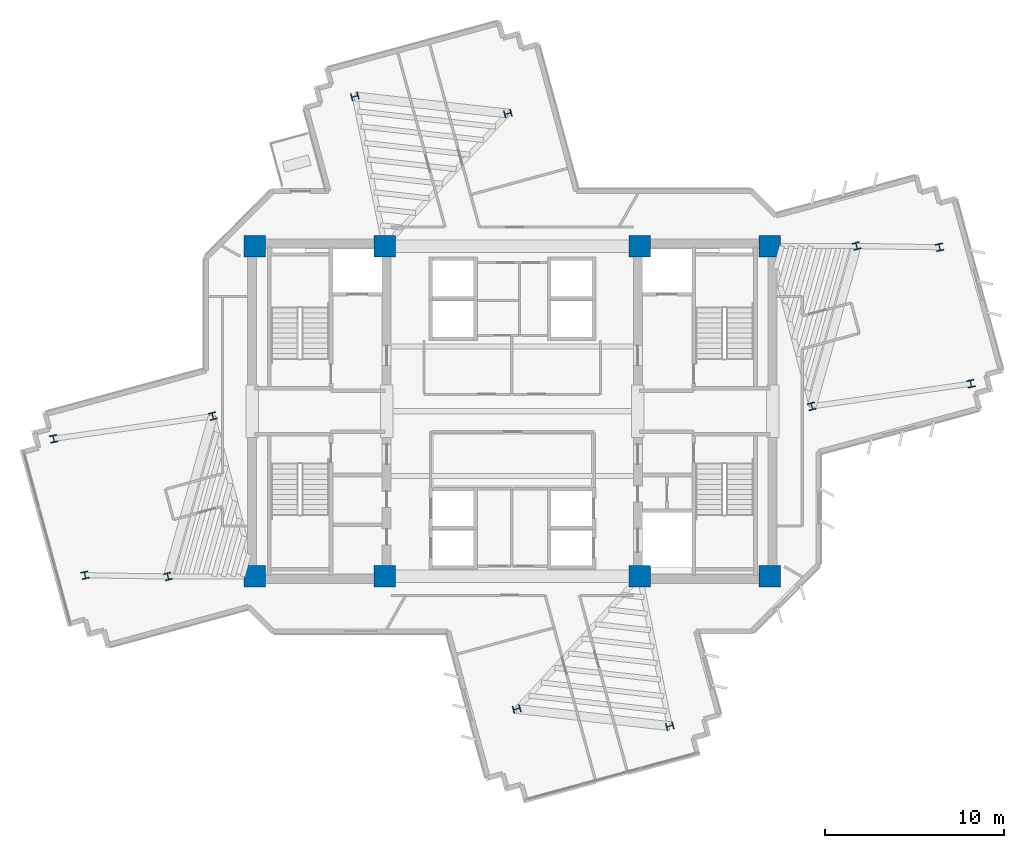
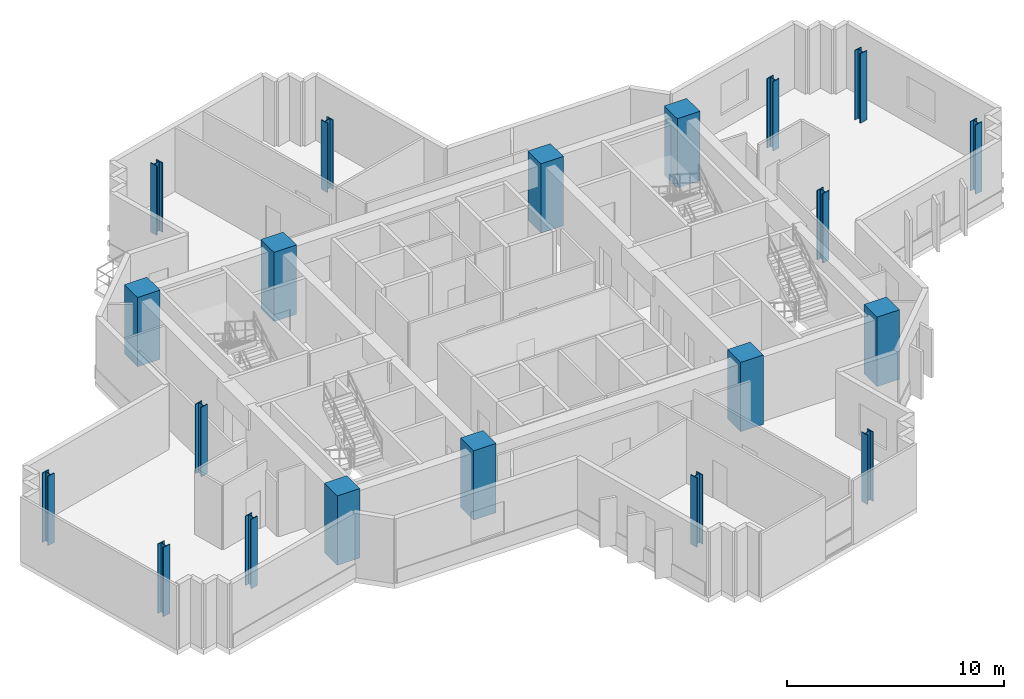
# One storey, part 1 of 15: 20 columns.
"""IFC4 building model written with IfcOpenShell, lengths in metres."""

from ifc_helpers import new_model, si_unit, direction, frame, origin, origin_2d, place, context, subcontext, project, spatial, rectangle, i_section, extrude, source, transform, mapped, material, material_profile, profile_set, type_object, element, save


model = new_model("IFC4")

# Units and contexts
model_context = context("Model", 3, precision=1e-05, world=origin(), true_north=direction((0.0, 1.0)))
body_context = subcontext(model_context, "Body", "Model", "MODEL_VIEW")
ifc_project = project(units=[si_unit("LENGTHUNIT", "METRE"), si_unit("AREAUNIT", "SQUARE_METRE"), si_unit("VOLUMEUNIT", "CUBIC_METRE"), si_unit("PLANEANGLEUNIT", "RADIAN"), si_unit("MASSUNIT", "GRAM", prefix="KILO")], contexts=[model_context])

# Site, building, storey
site_placement = place(None, origin())
site = spatial("IfcSite", under=ifc_project, at=site_placement, CompositionType="ELEMENT")
building_placement = place(site_placement, origin())
building = spatial("IfcBuilding", under=site, at=building_placement, Name="Zahravan Cultural Tower", CompositionType="ELEMENT")
storey_placement = place(building_placement, frame((0.0, 0.0, 198.0)))
storey = spatial("IfcBuildingStorey", under=building, at=storey_placement, Name="L46", CompositionType="ELEMENT", Elevation=198.0)

# Columns
ifc_material_1 = material(Name="Concrete C50/60", Category="concrete")
ifc_material_profile_1 = material_profile(ifc_material_1, rectangle(XDim=1.199951171875, YDim=1.199951171875, at=origin_2d()), Name="RC1200X1200")
ifc_profile_set_1 = profile_set([ifc_material_profile_1], Name="Concrete C50/60")
column_type_1 = type_object("IfcColumnType", Name="COL-RC1200", PredefinedType="COLUMN", material=ifc_profile_set_1)
shared_shape_1 = source(origin(), body_context, "Body", "SweptSolid", [
    extrude(rectangle(XDim=1.199951171875, YDim=1.199951171875, at=origin_2d()), origin(), (0.0, 0.0, 1.0), 3.89990234375),
])
for number, where, z_axis, x_axis, name in (
    (1, (21.64990234375, 17.800048828125, 0.0), (0.0, 0.0, 1.0), (1.0, 0.0, 0.0), "L46 Column CC-W1"),
    (2, (28.89990234375, 17.800048828125, 0.0), (0.0, 0.0, 1.0), (1.0, 0.0, 0.0), "L46 Column CC-W2"),
    (3, (21.64990234375, 36.199951171875, 0.0), (0.0, 0.0, 1.0), (1.0, 0.0, 0.0), "L46 Column CC-W3"),
    (4, (28.89990234375, 36.199951171875, 0.0), (0.0, 0.0, 1.0), (1.0, 0.0, 0.0), "L46 Column CC-W4"),
    (5, (43.10009765625, 17.800048828125, 0.0), (0.0, 0.0, 1.0), (1.0, 0.0, 0.0), "L46 Column CC-E1"),
    (6, (50.35009765625, 17.800048828125, 0.0), (0.0, 0.0, 1.0), (1.0, 0.0, 0.0), "L46 Column CC-E2"),
    (7, (43.10009765625, 36.199951171875, 0.0), (0.0, 0.0, 1.0), (1.0, 0.0, 0.0), "L46 Column CC-E3"),
    (8, (50.35009765625, 36.199951171875, 0.0), (0.0, 0.0, 1.0), (1.0, 0.0, 0.0), "L46 Column CC-E4"),
):
    element("IfcColumn", number, at=place(storey_placement, frame(where, z_axis=z_axis, x_axis=x_axis)), inside=storey, type_object=column_type_1, Name=name, PredefinedType="COLUMN", context=body_context, shape_type="MappedRepresentation", body=[
        mapped(shared_shape_1, transform((0.0, 0.0, 0.0), x_axis=(1.0, 0.0, 0.0), y_axis=(0.0, 1.0, 0.0), z_axis=(0.0, 0.0, 1.0), scale=1.0)),
    ])
ifc_material_2 = material(Name="Steel ASTM A992 Grade 50", Category="steel")
ifc_material_profile_2 = material_profile(ifc_material_2, i_section(OverallWidth=0.404052734375, OverallDepth=0.406982421875, WebThickness=0.027099609375, FlangeThickness=0.043701171875, FilletRadius=0.01806640625, at=origin_2d()), Name="W14X233")
ifc_profile_set_2 = profile_set([ifc_material_profile_2], Name="Steel ASTM A992 Grade 50")
column_type_2 = type_object("IfcColumnType", Name="COL-W14X233", PredefinedType="COLUMN", material=ifc_profile_set_2)
shared_shape_2 = source(origin(), body_context, "Body", "SweptSolid", [
    extrude(i_section(OverallWidth=0.404052734375, OverallDepth=0.406982421875, WebThickness=0.027099609375, FlangeThickness=0.043701171875, FilletRadius=0.01806640625, at=origin_2d()), origin(), (0.0, 0.0, 1.0), 3.89990234375),
])
for number, where, z_axis, x_axis, name in (
    (9, (52.684326171875, 27.27099609375, 0.0), (0.0, 0.0, 1.0), (0.966823388604, 0.255445757936, 0.0), "L46 Column Z2C-E1"),
    (10, (55.184814453125, 36.2060546875, 0.0), (0.0, 0.0, 1.0), (0.966823388604, 0.255445757936, 0.0), "L46 Column Z2C-E2"),
    (11, (35.754638671875, 43.587646484375, 0.0), (0.0, 0.0, 1.0), (-0.255445757936, 0.966823388604, 0.0), "L46 Column Z2C-N1"),
    (12, (27.22802734375, 44.541259765625, 0.0), (0.0, 0.0, 1.0), (-0.255445757936, 0.966823388604, 0.0), "L46 Column Z2C-N2"),
    (13, (19.315673828125, 26.72900390625, 0.0), (0.0, 0.0, 1.0), (0.966823388604, 0.255445757936, 0.0), "L46 Column Z2C-W1"),
    (14, (16.815185546875, 17.7939453125, 0.0), (0.0, 0.0, 1.0), (0.966823388604, 0.255445757936, 0.0), "L46 Column Z2C-W2"),
    (15, (36.245361328125, 10.412353515625, 0.0), (0.0, 0.0, 1.0), (-0.255445757936, 0.966823388604, 0.0), "L46 Column Z2C-S1"),
    (16, (44.77197265625, 9.458740234375, 0.0), (0.0, 0.0, 1.0), (-0.255445757936, 0.966823388604, 0.0), "L46 Column Z2C-S2"),
    (17, (61.552734375, 28.53466796875, 0.0), (0.0, 0.0, 1.0), (0.977415894286, 0.211324796455, 0.0), "L46 Column Z2T-E1"),
    (18, (59.806640625, 36.13720703125, 0.0), (0.0, 0.0, 1.0), (0.977415894286, 0.211324796455, 0.0), "L46 Column Z2T-E2"),
    (19, (10.447265625, 25.46533203125, 0.0), (0.0, 0.0, 1.0), (0.977415894286, 0.211324796455, 0.0), "L46 Column Z2T-W1"),
    (20, (12.193359375, 17.86279296875, 0.0), (0.0, 0.0, 1.0), (0.977415894286, 0.211324796455, 0.0), "L46 Column Z2T-W2"),
):
    element("IfcColumn", number, at=place(storey_placement, frame(where, z_axis=z_axis, x_axis=x_axis)), inside=storey, type_object=column_type_2, Name=name, PredefinedType="COLUMN", context=body_context, shape_type="MappedRepresentation", body=[
        mapped(shared_shape_2, transform((0.0, 0.0, 0.0), x_axis=(1.0, 0.0, 0.0), y_axis=(0.0, 1.0, 0.0), z_axis=(0.0, 0.0, 1.0), scale=1.0)),
    ])

save(model, "model.ifc")
